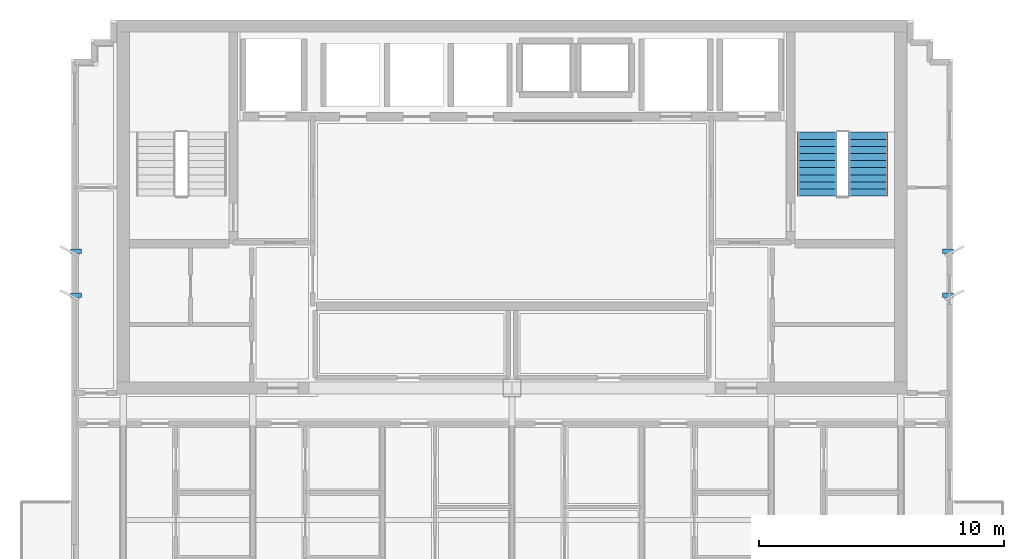
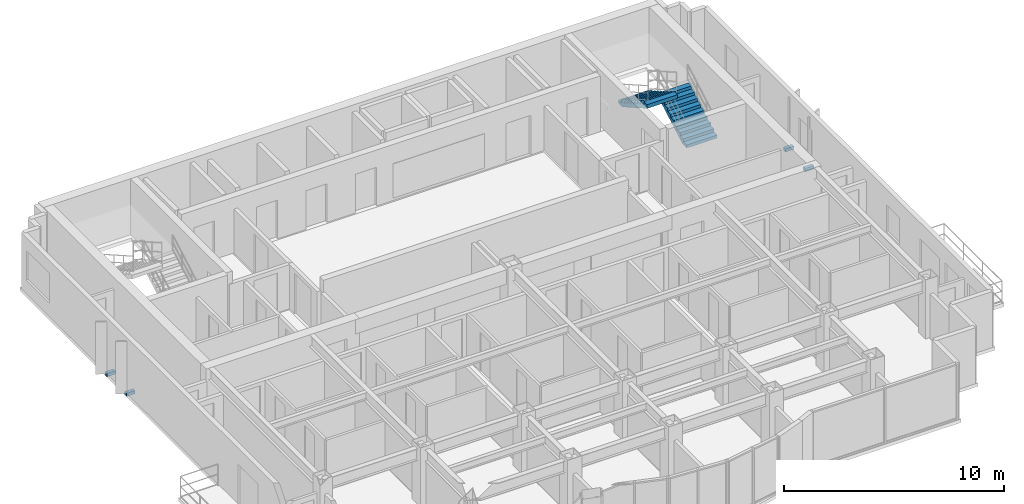
# One storey, part 7 of 9: 4 discrete accessories, 2 stair flights, 1 element without a shape of its own.
"""IFC4 building model written with IfcOpenShell, lengths in metres."""

from ifc_helpers import new_model, si_unit, direction, frame, origin, origin_2d, place, context, subcontext, project, spatial, polyline, rectangle, outline, extrude, source, transform, mapped, material, type_object, element, aggregate, save


model = new_model("IFC4")

# Units and contexts
model_context = context("Model", 3, precision=1e-05, world=origin(), true_north=direction((0.0, 1.0)))
body_context = subcontext(model_context, "Body", "Model", "MODEL_VIEW")
ifc_project = project(units=[si_unit("LENGTHUNIT", "METRE"), si_unit("AREAUNIT", "SQUARE_METRE"), si_unit("VOLUMEUNIT", "CUBIC_METRE"), si_unit("PLANEANGLEUNIT", "RADIAN"), si_unit("MASSUNIT", "GRAM", prefix="KILO")], contexts=[model_context])

# Site, building, storey
site_placement = place(None, origin())
site = spatial("IfcSite", under=ifc_project, at=site_placement, CompositionType="ELEMENT")
building_placement = place(site_placement, origin())
building = spatial("IfcBuilding", under=site, at=building_placement, Name="Qianlan Lanfeng Residences", CompositionType="ELEMENT")
storey_placement = place(building_placement, frame((0.0, 0.0, 233.0)))
storey = spatial("IfcBuildingStorey", under=building, at=storey_placement, Name="L64", CompositionType="ELEMENT", Elevation=233.0)

# Stair, stair flights
ifc_material_1 = material(Name="Concrete C42", Category="concrete")
stair_type = type_object("IfcStairType", Name="STR-MAIN", PredefinedType="HALF_TURN_STAIR", material=ifc_material_1)
stair_placement = place(storey_placement, origin())
stair = element("IfcStair", 1, at=stair_placement, inside=storey, type_object=stair_type, Name="L64 Exit Stair ST-2", PredefinedType="HALF_TURN_STAIR")
stair_flight_type = type_object("IfcStairFlightType", Name="FLT-1720", PredefinedType="STRAIGHT", material=ifc_material_1)
stair_flight_1_placement = place(storey_placement, frame((41.06005859375, 33.050048828125, 0.0), z_axis=(0.0, 0.0, 1.0), x_axis=(0.0, 1.0, 0.0)))
stair_flight_1 = element("IfcStairFlight", 2, at=stair_flight_1_placement, type_object=stair_flight_type, Name="ST-2 flight 1", NumberOfRisers=10, NumberOfTreads=9, PredefinedType="STRAIGHT", RiserHeight=0.165, TreadLength=0.29, context=body_context, shape_type="SweptSolid", body=[
    extrude(outline(polyline([(0.0, 0.0), (0.0, 0.1650390625), (0.2900390625, 0.1650390625), (0.2900390625, 0.330078125), (0.580078125, 0.330078125), (0.580078125, 0.4951171875), (0.8701171875, 0.4951171875), (0.8701171875, 0.659912109375), (1.159912109375, 0.659912109375), (1.159912109375, 0.824951171875), (1.449951171875, 0.824951171875), (1.449951171875, 0.989990234375), (1.739990234375, 0.989990234375), (1.739990234375, 1.155029296875), (2.030029296875, 1.155029296875), (2.030029296875, 1.320068359375), (2.320068359375, 1.320068359375), (2.320068359375, 1.485107421875), (2.610107421875, 1.485107421875), (2.610107421875, 1.64990234375), (2.610107421875, 1.278076171875), (0.36376953125, 0.0), (0.0, 0.0)])), frame((0.0, 0.800048828125, 0.0), z_axis=(0.0, -1.0, 0.0), x_axis=(1.0, 0.0, 0.0)), (0.0, 0.0, 1.0), 1.60009765625),
])
stair_flight_2_placement = place(storey_placement, frame((38.97998046875, 35.659912109375, 1.64990234375), z_axis=(0.0, 0.0, 1.0), x_axis=(0.0, -1.0, 0.0)))
stair_flight_2 = element("IfcStairFlight", 3, at=stair_flight_2_placement, type_object=stair_flight_type, Name="ST-2 flight 2", NumberOfRisers=10, NumberOfTreads=9, PredefinedType="STRAIGHT", RiserHeight=0.165, TreadLength=0.29, context=body_context, shape_type="SweptSolid", body=[
    extrude(outline(polyline([(0.0, 0.0), (0.0, 0.1650390625), (0.2900390625, 0.1650390625), (0.2900390625, 0.330078125), (0.580078125, 0.330078125), (0.580078125, 0.4951171875), (0.8701171875, 0.4951171875), (0.8701171875, 0.659912109375), (1.159912109375, 0.659912109375), (1.159912109375, 0.824951171875), (1.449951171875, 0.824951171875), (1.449951171875, 0.989990234375), (1.739990234375, 0.989990234375), (1.739990234375, 1.155029296875), (2.030029296875, 1.155029296875), (2.030029296875, 1.320068359375), (2.320068359375, 1.320068359375), (2.320068359375, 1.485107421875), (2.610107421875, 1.485107421875), (2.610107421875, 1.64990234375), (2.610107421875, 1.278076171875), (0.36376953125, 0.0), (0.0, 0.0)])), frame((0.0, 0.800048828125, 0.0), z_axis=(0.0, -1.0, 0.0), x_axis=(1.0, 0.0, 0.0)), (0.0, 0.0, 1.0), 1.60009765625),
])
aggregate(stair, [stair_flight_1, stair_flight_2])

# Discrete accessories
ifc_material_2 = material(Name="Stainless Steel Facade Bracket", Category="steel")
discrete_accessory_type = type_object("IfcDiscreteAccessoryType", Name="BRK-SS-350", PredefinedType="BRACKET", material=ifc_material_2)
shared_shape = source(origin(), body_context, "Body", "SweptSolid", [
    extrude(rectangle(XDim=0.449951171875, YDim=0.179931640625, at=origin_2d()), origin(), (0.0, 0.0, 1.0), 0.179931640625),
])
for number, where, z_axis, x_axis, name in (
    (4, (8.679931640625, 29.0, -0.14990234375), (0.0, 0.0, 1.0), (1.0, 0.0, 0.0), "L64 Raked Solar Fin Support Bracket W1"),
    (5, (8.679931640625, 30.800048828125, -0.14990234375), (0.0, 0.0, 1.0), (1.0, 0.0, 0.0), "L64 Raked Solar Fin Support Bracket W2"),
    (6, (44.320068359375, 29.0, -0.14990234375), (0.0, 0.0, 1.0), (1.0, 0.0, 0.0), "L64 Raked Solar Fin Support Bracket E1"),
    (7, (44.320068359375, 30.800048828125, -0.14990234375), (0.0, 0.0, 1.0), (1.0, 0.0, 0.0), "L64 Raked Solar Fin Support Bracket E2"),
):
    element("IfcDiscreteAccessory", number, at=place(storey_placement, frame(where, z_axis=z_axis, x_axis=x_axis)), inside=storey, type_object=discrete_accessory_type, Name=name, PredefinedType="BRACKET", context=body_context, shape_type="MappedRepresentation", body=[
        mapped(shared_shape, transform((0.0, 0.0, 0.0), scale=1.0)),
    ])

save(model, "model.ifc")
